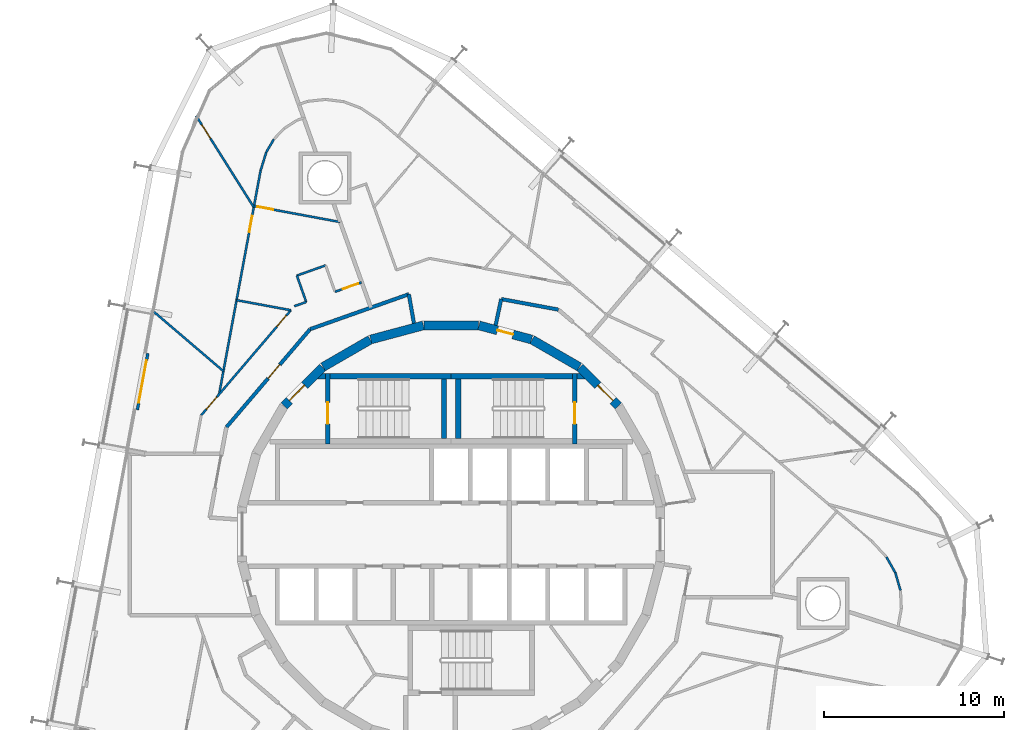
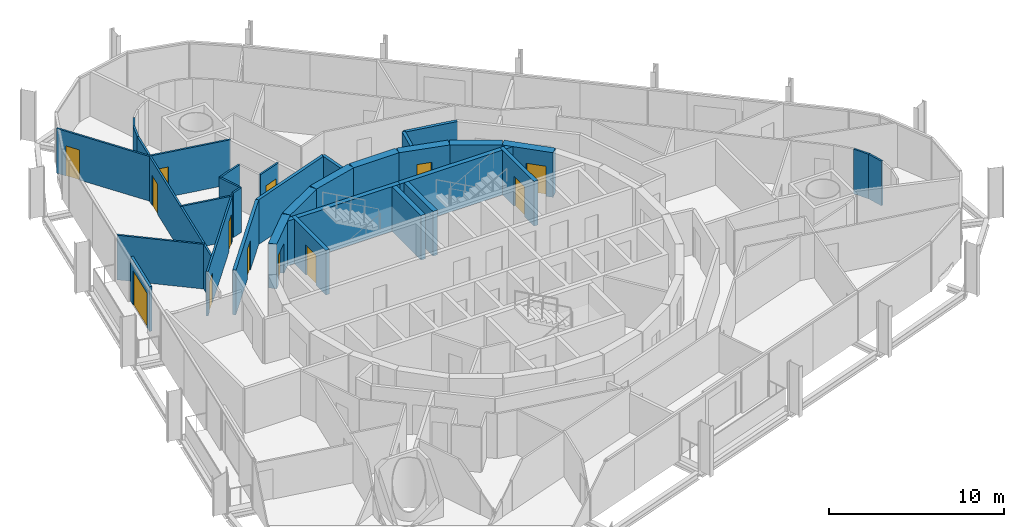
# One storey, part 14 of 17: 35 walls, 13 doors, 13 openings.
"""IFC4 building model written with IfcOpenShell, lengths in metres."""

from ifc_helpers import new_model, si_unit, direction, frame, frame_2d, origin, place, context, subcontext, project, spatial, polyline, rectangle, outline, extrude, material, layer, layer_set, type_object, element, fill, save


model = new_model("IFC4")

# Units and contexts
model_context = context("Model", 3, precision=1e-05, world=origin(), true_north=direction((0.0, 1.0)))
body_context = subcontext(model_context, "Body", "Model", "MODEL_VIEW")
ifc_project = project(units=[si_unit("LENGTHUNIT", "METRE"), si_unit("AREAUNIT", "SQUARE_METRE"), si_unit("VOLUMEUNIT", "CUBIC_METRE"), si_unit("PLANEANGLEUNIT", "RADIAN"), si_unit("MASSUNIT", "GRAM", prefix="KILO")], contexts=[model_context])

# Site, building, storey
site_placement = place(None, origin())
site = spatial("IfcSite", under=ifc_project, at=site_placement, CompositionType="ELEMENT")
building_placement = place(site_placement, origin())
building = spatial("IfcBuilding", under=site, at=building_placement, Name="Spindle Arch Residences", CompositionType="ELEMENT")
storey_placement = place(building_placement, frame((0.0, 0.0, 155.199951171875)))
storey = spatial("IfcBuildingStorey", under=building, at=storey_placement, Name="L38", CompositionType="ELEMENT", Elevation=155.199951171875)

# Wall, opening, door
ifc_material_1 = material(Name="Concrete C50/60", Category="concrete")
ifc_layer_1 = layer(ifc_material_1, 0.5)
ifc_layer_set_1 = layer_set([ifc_layer_1], Name="Core outline wall 500")
wall_type_1 = type_object("IfcWallType", Name="Core outline wall 500", PredefinedType="SHEAR", material=ifc_layer_set_1)
wall_1_placement = place(storey_placement, frame((9.30810546875, 7.163818359375, 0.0), z_axis=(0.0, 0.0, 1.0), x_axis=(-0.707106781187, 0.707106781187, 0.0)))
wall_1 = element("IfcWall", 1, at=wall_1_placement, inside=storey, type_object=wall_type_1, Name="Core outline wall 9", PredefinedType="SHEAR", context=body_context, shape_type="SweptSolid", body=[
    extrude(rectangle(XDim=3.032470703125, YDim=0.5, at=frame_2d((1.51611328125, 0.0))), origin(), (0.0, 0.0, 1.0), 3.1201171875),
])
opening_1_placement = place(wall_1_placement, frame((0.416259765625, 0.0, 0.0)))
opening_1 = element("IfcOpeningElement", 2, at=opening_1_placement, cuts=wall_1, Name="Opening R4A1-AD01", PredefinedType="OPENING", context=body_context, shape_type="SweptSolid", body=[
    extrude(rectangle(XDim=1.199951171875, YDim=2.10009765625, at=frame_2d((0.60009765625, 1.050048828125))), frame((0.0, 0.260009765625, 0.0), z_axis=(0.0, -1.0, 0.0), x_axis=(1.0, 0.0, 0.0)), (0.0, 0.0, 1.0), 0.52001953125),
])
ifc_material_2 = material(Name="Steel, fire-resisting door", Category="steel")
door_type_1 = type_object("IfcDoorType", Name="Stair airlock door 1200x2100", OperationType="SINGLE_SWING_LEFT", PredefinedType="DOOR", material=ifc_material_2)
door_1_placement = place(opening_1_placement, origin())
door_1 = element("IfcDoor", 3, at=door_1_placement, inside=storey, type_object=door_type_1, Name="Stair airlock door R4A1-AD01", OperationType="SINGLE_SWING_RIGHT", OverallHeight=2.10009765625, OverallWidth=1.199951171875, PredefinedType="DOOR", context=body_context, shape_type="SweptSolid", body=[
    extrude(rectangle(XDim=1.199951171875, YDim=2.10009765625, at=frame_2d((0.60009765625, 1.050048828125))), frame((0.0, 0.02490234375, 0.0), z_axis=(0.0, -1.0, 0.0), x_axis=(1.0, 0.0, 0.0)), (0.0, 0.0, 1.0), 0.050048828125),
])
fill(opening_1, door_1)

# Wall
wall_2_placement = place(storey_placement, frame((7.13671875, 9.32861328125, 0.0), z_axis=(0.0, 0.0, 1.0), x_axis=(-0.865975092491, 0.500087131594, 0.0)))
element("IfcWall", 4, at=wall_2_placement, inside=storey, type_object=wall_type_1, Name="Core outline wall 10", PredefinedType="SHEAR", context=body_context, shape_type="SweptSolid", body=[
    extrude(rectangle(XDim=3.03271484375, YDim=0.5, at=frame_2d((1.516357421875, 0.0))), origin(), (0.0, 0.0, 1.0), 3.1201171875),
])

# Wall, opening, door
wall_3_placement = place(storey_placement, frame((4.479248046875, 10.858154296875, 0.0), z_axis=(0.0, 0.0, 1.0), x_axis=(-0.965948410781, 0.258734743916, 0.0)))
wall_3 = element("IfcWall", 5, at=wall_3_placement, inside=storey, type_object=wall_type_1, Name="Core outline wall 11", PredefinedType="SHEAR", context=body_context, shape_type="SweptSolid", body=[
    extrude(rectangle(XDim=3.03271484375, YDim=0.5, at=frame_2d((1.516357421875, 0.0))), origin(), (0.0, 0.0, 1.0), 3.1201171875),
])
opening_2_placement = place(wall_3_placement, frame((1.066162109375, 0.0, 0.0)))
opening_2 = element("IfcOpeningElement", 6, at=opening_2_placement, cuts=wall_3, Name="Opening R4A1-WD11", PredefinedType="OPENING", context=body_context, shape_type="SweptSolid", body=[
    extrude(rectangle(XDim=0.89990234375, YDim=2.10009765625, at=frame_2d((0.449951171875, 1.050048828125))), frame((0.0, 0.260009765625, 0.0), z_axis=(0.0, -1.0, 0.0), x_axis=(1.0, 0.0, 0.0)), (0.0, 0.0, 1.0), 0.52001953125),
])
ifc_material_3 = material(Name="Steel, fire-resisting door", Category="steel")
door_type_2 = type_object("IfcDoorType", Name="Service room door 900x2100", OperationType="SINGLE_SWING_LEFT", PredefinedType="DOOR", material=ifc_material_3)
door_2_placement = place(opening_2_placement, origin())
door_2 = element("IfcDoor", 7, at=door_2_placement, inside=storey, type_object=door_type_2, Name="Service room door R4A1-WD11", OperationType="SINGLE_SWING_LEFT", OverallHeight=2.10009765625, OverallWidth=0.89990234375, PredefinedType="DOOR", context=body_context, shape_type="SweptSolid", body=[
    extrude(rectangle(XDim=0.89990234375, YDim=2.10009765625, at=frame_2d((0.449951171875, 1.050048828125))), frame((0.0, 0.02490234375, 0.0), z_axis=(0.0, -1.0, 0.0), x_axis=(1.0, 0.0, 0.0)), (0.0, 0.0, 1.0), 0.050048828125),
])
fill(opening_2, door_2)

# Walls
for number, where, z_axis, x_axis, name in (
    (8, (1.516357421875, 11.647216796875, 0.0), (0.0, 0.0, 1.0), (-1.0, 0.0, 0.0), "Core outline wall 12"),
    (9, (-1.5498046875, 11.642822265625, 0.0), (0.0, 0.0, 1.0), (-0.965948410781, -0.258734743916, 0.0), "Core outline wall 13"),
    (10, (-4.510498046875, 10.84521484375, 0.0), (0.0, 0.0, 1.0), (-0.865975092491, -0.500087131594, 0.0), "Core outline wall 14"),
):
    element("IfcWall", number, at=place(storey_placement, frame(where, z_axis=z_axis, x_axis=x_axis)), inside=storey, type_object=wall_type_1, Name=name, PredefinedType="SHEAR", context=body_context, shape_type="SweptSolid", body=[
        extrude(rectangle(XDim=3.03271484375, YDim=0.5, at=frame_2d((1.516357421875, 0.0))), origin(), (0.0, 0.0, 1.0), 3.1201171875),
    ])

# Wall, opening, door
wall_4_placement = place(storey_placement, frame((-7.163818359375, 9.30810546875, 0.0), z_axis=(0.0, 0.0, 1.0), x_axis=(-0.707106781187, -0.707106781187, 0.0)))
wall_4 = element("IfcWall", 11, at=wall_4_placement, inside=storey, type_object=wall_type_1, Name="Core outline wall 15", PredefinedType="SHEAR", context=body_context, shape_type="SweptSolid", body=[
    extrude(rectangle(XDim=3.032470703125, YDim=0.5, at=frame_2d((1.51611328125, 0.0))), origin(), (0.0, 0.0, 1.0), 3.1201171875),
])
opening_3_placement = place(wall_4_placement, frame((1.416259765625, 0.0, 0.0)))
opening_3 = element("IfcOpeningElement", 12, at=opening_3_placement, cuts=wall_4, Name="Opening R4A1-AD02", PredefinedType="OPENING", context=body_context, shape_type="SweptSolid", body=[
    extrude(rectangle(XDim=1.199951171875, YDim=2.10009765625, at=frame_2d((0.60009765625, 1.050048828125))), frame((0.0, 0.260009765625, 0.0), z_axis=(0.0, -1.0, 0.0), x_axis=(1.0, 0.0, 0.0)), (0.0, 0.0, 1.0), 0.52001953125),
])
door_3_placement = place(opening_3_placement, origin())
door_3 = element("IfcDoor", 13, at=door_3_placement, inside=storey, type_object=door_type_1, Name="Stair airlock door R4A1-AD02", OperationType="SINGLE_SWING_RIGHT", OverallHeight=2.10009765625, OverallWidth=1.199951171875, PredefinedType="DOOR", context=body_context, shape_type="SweptSolid", body=[
    extrude(rectangle(XDim=1.199951171875, YDim=2.10009765625, at=frame_2d((0.60009765625, 1.050048828125))), frame((0.0, 0.02490234375, 0.0), z_axis=(0.0, -1.0, 0.0), x_axis=(1.0, 0.0, 0.0)), (0.0, 0.0, 1.0), 0.050048828125),
])
fill(opening_3, door_3)

# Walls
ifc_material_4 = material(Name="Calcium silicate block, plastered")
ifc_layer_2 = layer(ifc_material_4, 0.199951171875)
ifc_layer_set_2 = layer_set([ifc_layer_2], Name="Corridor wall 200")
wall_type_2 = type_object("IfcWallType", Name="Corridor wall 200", PredefinedType="STANDARD", material=ifc_layer_set_2)
wall_5_placement = place(storey_placement, frame((5.972412109375, 12.521240234375, 0.0), z_axis=(0.0, 0.0, 1.0), x_axis=(-0.983243002308, 0.182299748799, 0.0)))
element("IfcWall", 14, at=wall_5_placement, inside=storey, type_object=wall_type_2, Name="Corridor wall R4A1-W005", PredefinedType="STANDARD", context=body_context, shape_type="SweptSolid", body=[
    extrude(rectangle(XDim=3.239501953125, YDim=0.199951171875, at=frame_2d((1.61962890625, 0.0))), origin(), (0.0, 0.0, 1.0), 3.1201171875),
])
wall_6_placement = place(storey_placement, frame((2.787109375, 13.11181640625, 0.0), z_axis=(0.0, 0.0, 1.0), x_axis=(-0.207941001029, -0.978141370197, 0.0)))
element("IfcWall", 15, at=wall_6_placement, inside=storey, type_object=wall_type_2, Name="Corridor wall R4A1-W006", PredefinedType="STANDARD", context=body_context, shape_type="SweptSolid", body=[
    extrude(rectangle(XDim=1.4912109375, YDim=0.199951171875, at=frame_2d((0.74560546875, 0.0))), origin(), (0.0, 0.0, 1.0), 3.1201171875),
])
wall_7_placement = place(storey_placement, frame((-2.07373046875, 11.76123046875, 0.0), z_axis=(0.0, 0.0, 1.0), x_axis=(-0.1736412798, 0.984808969267, 0.0)))
element("IfcWall", 16, at=wall_7_placement, inside=storey, type_object=wall_type_2, Name="Corridor wall R4A1-W009", PredefinedType="STANDARD", context=body_context, shape_type="SweptSolid", body=[
    extrude(rectangle(XDim=1.6435546875, YDim=0.199951171875, at=frame_2d((0.82177734375, 0.0))), origin(), (0.0, 0.0, 1.0), 3.1201171875),
])
wall_8_placement = place(storey_placement, frame((-2.359130859375, 13.3798828125, 0.0), z_axis=(0.0, 0.0, 1.0), x_axis=(-0.942647529236, -0.333789807551, 0.0)))
element("IfcWall", 17, at=wall_8_placement, inside=storey, type_object=wall_type_2, Name="Corridor wall R4A1-W010", PredefinedType="STANDARD", context=body_context, shape_type="SweptSolid", body=[
    extrude(rectangle(XDim=5.8330078125, YDim=0.199951171875, at=frame_2d((2.91650390625, 0.0))), origin(), (0.0, 0.0, 1.0), 3.1201171875),
])

# Wall, opening, door
wall_9_placement = place(storey_placement, frame((-7.857666015625, 11.432861328125, 0.0), z_axis=(0.0, 0.0, 1.0), x_axis=(-0.649440801937, -0.760412154545, 0.0)))
wall_9 = element("IfcWall", 18, at=wall_9_placement, inside=storey, type_object=wall_type_2, Name="Corridor wall R4A1-W011", PredefinedType="STANDARD", context=body_context, shape_type="SweptSolid", body=[
    extrude(rectangle(XDim=7.180908203125, YDim=0.199951171875, at=frame_2d((3.59033203125, 0.0))), origin(), (0.0, 0.0, 1.0), 3.1201171875),
])
opening_4_placement = place(wall_9_placement, frame((2.60009765625, 0.0, 0.0)))
opening_4 = element("IfcOpeningElement", 19, at=opening_4_placement, cuts=wall_9, Name="Opening R4A1-FD03", PredefinedType="OPENING", context=body_context, shape_type="SweptSolid", body=[
    extrude(rectangle(XDim=1.0, YDim=2.10009765625, at=frame_2d((0.5, 1.050048828125))), frame((0.0, 0.10986328125, 0.0), z_axis=(0.0, -1.0, 0.0), x_axis=(1.0, 0.0, 0.0)), (0.0, 0.0, 1.0), 0.219970703125),
])
ifc_material_5 = material(Name="Timber, fire-resisting door set", Category="wood")
door_type_3 = type_object("IfcDoorType", Name="Flat entrance door 1000x2100", OperationType="NOTDEFINED", PredefinedType="DOOR", material=ifc_material_5)
door_4_placement = place(opening_4_placement, origin())
door_4 = element("IfcDoor", 20, at=door_4_placement, inside=storey, type_object=door_type_3, Name="Flat entrance door R4A1-FD03", OperationType="SINGLE_SWING_LEFT", OverallHeight=2.10009765625, OverallWidth=1.0, PredefinedType="DOOR", context=body_context, shape_type="SweptSolid", body=[
    extrude(rectangle(XDim=1.0, YDim=2.10009765625, at=frame_2d((0.5, 1.050048828125))), frame((0.0, 0.02490234375, 0.0), z_axis=(0.0, -1.0, 0.0), x_axis=(1.0, 0.0, 0.0)), (0.0, 0.0, 1.0), 0.050048828125),
])
fill(opening_4, door_4)

# Walls
ifc_material_6 = material(Name="Plasterboard on steel studs", Category="steel")
ifc_layer_3 = layer(ifc_material_6, 0.1201171875)
ifc_layer_set_3 = layer_set([ifc_layer_3], Name="Flat partition 120")
wall_type_3 = type_object("IfcWallType", Name="Flat partition 120", PredefinedType="PARTITIONING", material=ifc_layer_set_3)
for number, where, z_axis, x_axis, name in (
    (21, (25.028564453125, -3.11669921875, 0.0), (0.0, 0.0, 1.0), (-0.278559922069, 0.96041885124, 0.0), "Flat partition R4A1-W051"),
    (22, (24.74560546875, -2.14111328125, 0.0), (0.0, 0.0, 1.0), (-0.492199796518, 0.870482257319, 0.0), "Flat partition R4A1-W052"),
):
    element("IfcWall", number, at=place(storey_placement, frame(where, z_axis=z_axis, x_axis=x_axis)), inside=storey, type_object=wall_type_3, Name=name, PredefinedType="PARTITIONING", context=body_context, shape_type="SweptSolid", body=[
        extrude(rectangle(XDim=1.015869140625, YDim=0.1201171875, at=frame_2d((0.5078125, 0.0))), origin(), (0.0, 0.0, 1.0), 3.1201171875),
    ])

# Wall, opening, door
wall_10_placement = place(storey_placement, frame((-4.993408203125, 14.038330078125, 0.0), z_axis=(0.0, 0.0, 1.0), x_axis=(-0.942685371668, -0.333682918418, 0.0)))
wall_10 = element("IfcWall", 23, at=wall_10_placement, inside=storey, type_object=wall_type_3, Name="Flat partition R4A1-W068", PredefinedType="PARTITIONING", context=body_context, shape_type="SweptSolid", body=[
    extrude(rectangle(XDim=1.568603515625, YDim=0.1201171875, at=frame_2d((0.7841796875, 0.0))), origin(), (0.0, 0.0, 1.0), 3.1201171875),
])
opening_5_placement = place(wall_10_placement, frame((0.199951171875, 0.0, 0.0)))
opening_5 = element("IfcOpeningElement", 24, at=opening_5_placement, cuts=wall_10, Name="Opening R4A1-ID11", PredefinedType="OPENING", context=body_context, shape_type="SweptSolid", body=[
    extrude(rectangle(XDim=0.89990234375, YDim=2.10009765625, at=frame_2d((0.449951171875, 1.050048828125))), frame((0.0, 0.070068359375, 0.0), z_axis=(0.0, -1.0, 0.0), x_axis=(1.0, 0.0, 0.0)), (0.0, 0.0, 1.0), 0.14013671875),
])
ifc_material_7 = material(Name="Timber door set", Category="wood")
door_type_4 = type_object("IfcDoorType", Name="Room door 900x2100", OperationType="NOTDEFINED", PredefinedType="DOOR", material=ifc_material_7)
door_5_placement = place(opening_5_placement, origin())
door_5 = element("IfcDoor", 25, at=door_5_placement, inside=storey, type_object=door_type_4, Name="Room door R4A1-ID11", OperationType="SINGLE_SWING_LEFT", OverallHeight=2.10009765625, OverallWidth=0.89990234375, PredefinedType="DOOR", context=body_context, shape_type="SweptSolid", body=[
    extrude(rectangle(XDim=0.89990234375, YDim=2.10009765625, at=frame_2d((0.449951171875, 1.050048828125))), frame((0.0, 0.02490234375, 0.0), z_axis=(0.0, -1.0, 0.0), x_axis=(1.0, 0.0, 0.0)), (0.0, 0.0, 1.0), 0.050048828125),
])
fill(opening_5, door_5)

# Walls
wall_11_placement = place(storey_placement, frame((-6.993408203125, 14.98681640625, 0.0), z_axis=(0.0, 0.0, 1.0), x_axis=(-0.942599915297, -0.33392424243, 0.0)))
element("IfcWall", 26, at=wall_11_placement, inside=storey, type_object=wall_type_3, Name="Flat partition R4A1-W070", PredefinedType="PARTITIONING", context=body_context, shape_type="SweptSolid", body=[
    extrude(rectangle(XDim=1.699951171875, YDim=0.1201171875, at=frame_2d((0.85009765625, 0.0))), origin(), (0.0, 0.0, 1.0), 3.1201171875),
])
wall_12_placement = place(storey_placement, frame((-8.595703125, 14.419189453125, 0.0), z_axis=(0.0, 0.0, 1.0), x_axis=(0.333670576497, -0.942689740254, 0.0)))
element("IfcWall", 27, at=wall_12_placement, inside=storey, type_object=wall_type_3, Name="Flat partition R4A1-W071", PredefinedType="PARTITIONING", context=body_context, shape_type="SweptSolid", body=[
    extrude(rectangle(XDim=1.5615234375, YDim=0.1201171875, at=frame_2d((0.78076171875, 0.0))), origin(), (0.0, 0.0, 1.0), 3.1201171875),
])
wall_13_placement = place(storey_placement, frame((-8.07470703125, 12.947265625, 0.0), z_axis=(0.0, 0.0, 1.0), x_axis=(-0.942649994227, -0.33378284615, 0.0)))
element("IfcWall", 28, at=wall_13_placement, inside=storey, type_object=wall_type_3, Name="Flat partition R4A1-W072", PredefinedType="PARTITIONING", context=body_context, shape_type="SweptSolid", body=[
    extrude(rectangle(XDim=0.702880859375, YDim=0.1201171875, at=frame_2d((0.3515625, 0.0))), origin(), (0.0, 0.0, 1.0), 3.1201171875),
])

# Wall, openings, doors
wall_14_placement = place(storey_placement, frame((-8.9287109375, 12.48828125, 0.0), z_axis=(0.0, 0.0, 1.0), x_axis=(-0.64944646045, -0.760407321775, 0.0)))
wall_14 = element("IfcWall", 29, at=wall_14_placement, inside=storey, type_object=wall_type_3, Name="Flat partition R4A1-W073", PredefinedType="PARTITIONING", context=body_context, shape_type="SweptSolid", body=[
    extrude(rectangle(XDim=7.68994140625, YDim=0.1201171875, at=frame_2d((3.844970703125, 0.0))), origin(), (0.0, 0.0, 1.0), 3.1201171875),
])
opening_6_placement = place(wall_14_placement, frame((0.39990234375, 0.0, 0.0)))
opening_6 = element("IfcOpeningElement", 30, at=opening_6_placement, cuts=wall_14, Name="Opening R4A1-BD03", PredefinedType="OPENING", context=body_context, shape_type="SweptSolid", body=[
    extrude(rectangle(XDim=0.800048828125, YDim=2.10009765625, at=frame_2d((0.39990234375, 1.050048828125))), frame((0.0, 0.070068359375, 0.0), z_axis=(0.0, -1.0, 0.0), x_axis=(1.0, 0.0, 0.0)), (0.0, 0.0, 1.0), 0.14013671875),
])
opening_7_placement = place(wall_14_placement, frame((6.35595703125, 0.0, 0.0)))
opening_7 = element("IfcOpeningElement", 31, at=opening_7_placement, cuts=wall_14, Name="Opening R4A1-ID12", PredefinedType="OPENING", context=body_context, shape_type="SweptSolid", body=[
    extrude(rectangle(XDim=0.89990234375, YDim=2.10009765625, at=frame_2d((0.449951171875, 1.050048828125))), frame((0.0, 0.070068359375, 0.0), z_axis=(0.0, -1.0, 0.0), x_axis=(1.0, 0.0, 0.0)), (0.0, 0.0, 1.0), 0.14013671875),
])
ifc_material_8 = material(Name="Timber door set", Category="wood")
door_type_5 = type_object("IfcDoorType", Name="Bathroom door 800x2100", OperationType="NOTDEFINED", PredefinedType="DOOR", material=ifc_material_8)
door_6_placement = place(opening_6_placement, origin())
door_6 = element("IfcDoor", 32, at=door_6_placement, inside=storey, type_object=door_type_5, Name="Bathroom door R4A1-BD03", OperationType="SINGLE_SWING_LEFT", OverallHeight=2.10009765625, OverallWidth=0.800048828125, PredefinedType="DOOR", context=body_context, shape_type="SweptSolid", body=[
    extrude(rectangle(XDim=0.800048828125, YDim=2.10009765625, at=frame_2d((0.39990234375, 1.050048828125))), frame((0.0, 0.02490234375, 0.0), z_axis=(0.0, -1.0, 0.0), x_axis=(1.0, 0.0, 0.0)), (0.0, 0.0, 1.0), 0.050048828125),
])
fill(opening_6, door_6)
door_7_placement = place(opening_7_placement, origin())
door_7 = element("IfcDoor", 33, at=door_7_placement, inside=storey, type_object=door_type_4, Name="Room door R4A1-ID12", OperationType="SINGLE_SWING_LEFT", OverallHeight=2.10009765625, OverallWidth=0.89990234375, PredefinedType="DOOR", context=body_context, shape_type="SweptSolid", body=[
    extrude(rectangle(XDim=0.89990234375, YDim=2.10009765625, at=frame_2d((0.449951171875, 1.050048828125))), frame((0.0, 0.02490234375, 0.0), z_axis=(0.0, -1.0, 0.0), x_axis=(1.0, 0.0, 0.0)), (0.0, 0.0, 1.0), 0.050048828125),
])
fill(opening_7, door_7)

# Walls
wall_15_placement = place(storey_placement, frame((-9.876708984375, 22.014404296875, 0.0), z_axis=(0.0, 0.0, 1.0), x_axis=(-0.507766478099, -0.861494749676, 0.0)))
element("IfcWall", 34, at=wall_15_placement, inside=storey, type_object=wall_type_3, Name="Flat partition R4A1-W078", PredefinedType="PARTITIONING", context=body_context, shape_type="SweptSolid", body=[
    extrude(rectangle(XDim=0.828857421875, YDim=0.1201171875, at=frame_2d((0.41455078125, 0.0))), origin(), (0.0, 0.0, 1.0), 3.1201171875),
])
wall_16_placement = place(storey_placement, frame((-10.297607421875, 21.30029296875, 0.0), z_axis=(0.0, 0.0, 1.0), x_axis=(-0.295127342945, -0.955457927617, 0.0)))
element("IfcWall", 35, at=wall_16_placement, inside=storey, type_object=wall_type_3, Name="Flat partition R4A1-W079", PredefinedType="PARTITIONING", context=body_context, shape_type="SweptSolid", body=[
    extrude(rectangle(XDim=1.0869140625, YDim=0.1201171875, at=frame_2d((0.54345703125, 0.0))), origin(), (0.0, 0.0, 1.0), 3.1201171875),
])

# Wall, opening, door
wall_17_placement = place(storey_placement, frame((-10.618408203125, 20.26171875, 0.0), z_axis=(0.0, 0.0, 1.0), x_axis=(-0.182222468274, -0.983257327487, 0.0)))
wall_17 = element("IfcWall", 36, at=wall_17_placement, inside=storey, type_object=wall_type_3, Name="Flat partition R4A1-W080", PredefinedType="PARTITIONING", context=body_context, shape_type="SweptSolid", body=[
    extrude(rectangle(XDim=12.66650390625, YDim=0.1201171875, at=frame_2d((6.333251953125, 0.0))), origin(), (0.0, 0.0, 1.0), 3.1201171875),
])
opening_8_placement = place(wall_17_placement, frame((2.570068359375, 0.0, 0.0)))
opening_8 = element("IfcOpeningElement", 37, at=opening_8_placement, cuts=wall_17, Name="Opening R4A1-ID14", PredefinedType="OPENING", context=body_context, shape_type="SweptSolid", body=[
    extrude(rectangle(XDim=0.89990234375, YDim=2.10009765625, at=frame_2d((0.449951171875, 1.050048828125))), frame((0.0, 0.070068359375, 0.0), z_axis=(0.0, -1.0, 0.0), x_axis=(1.0, 0.0, 0.0)), (0.0, 0.0, 1.0), 0.14013671875),
])
door_8_placement = place(opening_8_placement, origin())
door_8 = element("IfcDoor", 38, at=door_8_placement, inside=storey, type_object=door_type_4, Name="Room door R4A1-ID14", OperationType="SINGLE_SWING_LEFT", OverallHeight=2.10009765625, OverallWidth=0.89990234375, PredefinedType="DOOR", context=body_context, shape_type="SweptSolid", body=[
    extrude(rectangle(XDim=0.89990234375, YDim=2.10009765625, at=frame_2d((0.449951171875, 1.050048828125))), frame((0.0, 0.02490234375, 0.0), z_axis=(0.0, -1.0, 0.0), x_axis=(1.0, 0.0, 0.0)), (0.0, 0.0, 1.0), 0.050048828125),
])
fill(opening_8, door_8)

wall_18_placement = place(storey_placement, frame((-10.983642578125, 18.291259765625, 0.0), z_axis=(0.0, 0.0, 1.0), x_axis=(0.98324782266, -0.182273748068, 0.0)))
wall_18 = element("IfcWall", 39, at=wall_18_placement, inside=storey, type_object=wall_type_3, Name="Flat partition R4A1-W081", PredefinedType="PARTITIONING", context=body_context, shape_type="SweptSolid", body=[
    extrude(rectangle(XDim=4.880859375, YDim=0.1201171875, at=frame_2d((2.4404296875, 0.0))), origin(), (0.0, 0.0, 1.0), 3.1201171875),
])
opening_9_placement = place(wall_18_placement, frame((0.199951171875, 0.0, 0.0)))
opening_9 = element("IfcOpeningElement", 40, at=opening_9_placement, cuts=wall_18, Name="Opening R4A1-ID13", PredefinedType="OPENING", context=body_context, shape_type="SweptSolid", body=[
    extrude(rectangle(XDim=0.89990234375, YDim=2.10009765625, at=frame_2d((0.449951171875, 1.050048828125))), frame((0.0, 0.070068359375, 0.0), z_axis=(0.0, -1.0, 0.0), x_axis=(1.0, 0.0, 0.0)), (0.0, 0.0, 1.0), 0.14013671875),
])
door_9_placement = place(opening_9_placement, origin())
door_9 = element("IfcDoor", 41, at=door_9_placement, inside=storey, type_object=door_type_4, Name="Room door R4A1-ID13", OperationType="SINGLE_SWING_LEFT", OverallHeight=2.10009765625, OverallWidth=0.89990234375, PredefinedType="DOOR", context=body_context, shape_type="SweptSolid", body=[
    extrude(rectangle(XDim=0.89990234375, YDim=2.10009765625, at=frame_2d((0.449951171875, 1.050048828125))), frame((0.0, 0.02490234375, 0.0), z_axis=(0.0, -1.0, 0.0), x_axis=(1.0, 0.0, 0.0)), (0.0, 0.0, 1.0), 0.050048828125),
])
fill(opening_9, door_9)

wall_19_placement = place(storey_placement, frame((-14.210693359375, 23.326416015625, 0.0), z_axis=(0.0, 0.0, 1.0), x_axis=(0.533278244906, -0.845939899467, 0.0)))
wall_19 = element("IfcWall", 42, at=wall_19_placement, inside=storey, type_object=wall_type_3, Name="Flat partition R4A1-W082", PredefinedType="PARTITIONING", context=body_context, shape_type="SweptSolid", body=[
    extrude(rectangle(XDim=6.02880859375, YDim=0.1201171875, at=frame_2d((3.014404296875, 0.0))), origin(), (0.0, 0.0, 1.0), 3.1201171875),
])
opening_10_placement = place(wall_19_placement, frame((0.60009765625, 0.0, 0.0)))
opening_10 = element("IfcOpeningElement", 43, at=opening_10_placement, cuts=wall_19, Name="Opening R4A1-ID15", PredefinedType="OPENING", context=body_context, shape_type="SweptSolid", body=[
    extrude(rectangle(XDim=0.89990234375, YDim=2.10009765625, at=frame_2d((0.449951171875, 1.050048828125))), frame((0.0, 0.070068359375, 0.0), z_axis=(0.0, -1.0, 0.0), x_axis=(1.0, 0.0, 0.0)), (0.0, 0.0, 1.0), 0.14013671875),
])
door_10_placement = place(opening_10_placement, origin())
door_10 = element("IfcDoor", 44, at=door_10_placement, inside=storey, type_object=door_type_4, Name="Room door R4A1-ID15", OperationType="SINGLE_SWING_LEFT", OverallHeight=2.10009765625, OverallWidth=0.89990234375, PredefinedType="DOOR", context=body_context, shape_type="SweptSolid", body=[
    extrude(rectangle(XDim=0.89990234375, YDim=2.10009765625, at=frame_2d((0.449951171875, 1.050048828125))), frame((0.0, 0.02490234375, 0.0), z_axis=(0.0, -1.0, 0.0), x_axis=(1.0, 0.0, 0.0)), (0.0, 0.0, 1.0), 0.050048828125),
])
fill(opening_10, door_10)

# Walls
wall_20_placement = place(storey_placement, frame((-11.955078125, 13.04931640625, 0.0), z_axis=(0.0, 0.0, 1.0), x_axis=(0.983247271586, -0.182276720725, 0.0)))
element("IfcWall", 45, at=wall_20_placement, inside=storey, type_object=wall_type_3, Name="Flat partition R4A1-W083", PredefinedType="PARTITIONING", context=body_context, shape_type="SweptSolid", body=[
    extrude(rectangle(XDim=3.077880859375, YDim=0.1201171875, at=frame_2d((1.5390625, 0.0))), origin(), (0.0, 0.0, 1.0), 3.1201171875),
])
wall_21_placement = place(storey_placement, frame((-16.551513671875, 12.393798828125, 0.0), z_axis=(0.0, 0.0, 1.0), x_axis=(0.760425586578, -0.649425074414, 0.0)))
element("IfcWall", 46, at=wall_21_placement, inside=storey, type_object=wall_type_3, Name="Flat partition R4A1-W084", PredefinedType="PARTITIONING", context=body_context, shape_type="SweptSolid", body=[
    extrude(rectangle(XDim=5.080810546875, YDim=0.1201171875, at=frame_2d((2.54052734375, 0.0))), origin(), (0.0, 0.0, 1.0), 3.1201171875),
])

# Wall, opening, door
ifc_material_9 = material(Name="Non-combustible mineral wool insulated aluminium faced external wall (K0)", Category="aluminium")
ifc_layer_4 = layer(ifc_material_9, 0.159912109375)
ifc_layer_set_4 = layer_set([ifc_layer_4], Name="Insulated external wall panel 160")
wall_type_4 = type_object("IfcWallType", Name="Insulated external wall panel 160", PredefinedType="STANDARD", material=ifc_layer_set_4)
wall_22_placement = place(storey_placement, frame((-16.8974609375, 10.08837890625, 0.0), z_axis=(0.0, 0.0, 1.0), x_axis=(-0.18226136951, -0.983250117307, 0.0)))
wall_22 = element("IfcWall", 47, at=wall_22_placement, inside=storey, type_object=wall_type_4, Name="External wall L38 bay 14", PredefinedType="STANDARD", context=body_context, shape_type="SweptSolid", body=[
    extrude(rectangle(XDim=3.2001953125, YDim=0.159912109375, at=frame_2d((1.60009765625, 0.0))), origin(), (0.0, 0.0, 1.0), 3.1201171875),
])
opening_11_placement = place(wall_22_placement, frame((0.39990234375, 0.0, 0.0)))
opening_11 = element("IfcOpeningElement", 48, at=opening_11_placement, cuts=wall_22, Name="Opening BD14", PredefinedType="OPENING", context=body_context, shape_type="SweptSolid", body=[
    extrude(rectangle(XDim=2.39990234375, YDim=2.39990234375, at=frame_2d((1.199951171875, 1.199951171875))), frame((0.0, 0.08984375, 0.0), z_axis=(0.0, -1.0, 0.0), x_axis=(1.0, 0.0, 0.0)), (0.0, 0.0, 1.0), 0.179931640625),
])
ifc_material_10 = material(Name="Bronze aluminium frame, tinted double glazing", Category="aluminium")
door_type_6 = type_object("IfcDoorType", Name="Sliding glazed balcony door 2400x2400", OperationType="DOUBLE_DOOR_SLIDING", PredefinedType="DOOR", material=ifc_material_10)
door_11_placement = place(opening_11_placement, origin())
door_11 = element("IfcDoor", 49, at=door_11_placement, inside=storey, type_object=door_type_6, Name="Balcony door BD14", OperationType="DOUBLE_DOOR_SLIDING", OverallHeight=2.39990234375, OverallWidth=2.39990234375, PredefinedType="DOOR", context=body_context, shape_type="SweptSolid", body=[
    extrude(rectangle(XDim=2.39990234375, YDim=2.39990234375, at=frame_2d((1.199951171875, 1.199951171875))), frame((0.0, 0.02490234375, 0.0), z_axis=(0.0, -1.0, 0.0), x_axis=(1.0, 0.0, 0.0)), (0.0, 0.0, 1.0), 0.050048828125),
])
fill(opening_11, door_11)

# Walls
ifc_material_11 = material(Name="Concrete C40/50", Category="concrete")
wall_type_5 = type_object("IfcWallType", Name="Stair airlock wall profile", PredefinedType="SHEAR", material=ifc_material_11)
wall_23_placement = place(storey_placement, origin())
element("IfcWall", 50, at=wall_23_placement, inside=storey, type_object=wall_type_5, Name="Stair ST-1 airlock wall N", PredefinedType="SHEAR", context=body_context, shape_type="SweptSolid", body=[
    extrude(outline(polyline([(7.4482421875, 8.669921875), (7.0, 8.669921875), (7.0, 8.969970703125), (7.148193359375, 8.969970703125), (7.4482421875, 8.669921875)])), origin(), (0.0, 0.0, 1.0), 3.1201171875),
])
wall_24_placement = place(storey_placement, origin())
element("IfcWall", 51, at=wall_24_placement, inside=storey, type_object=wall_type_5, Name="Stair ST-2 airlock wall N", PredefinedType="SHEAR", context=body_context, shape_type="SweptSolid", body=[
    extrude(outline(polyline([(-7.148193359375, 8.969970703125), (-7.0, 8.969970703125), (-7.0, 8.669921875), (-7.4482421875, 8.669921875), (-7.148193359375, 8.969970703125)])), origin(), (0.0, 0.0, 1.0), 3.1201171875),
])

# Wall, opening, door
ifc_material_12 = material(Name="Concrete C50/60", Category="concrete")
ifc_layer_5 = layer(ifc_material_12, 0.25)
ifc_layer_set_5 = layer_set([ifc_layer_5], Name="Stair enclosure wall 250")
wall_type_6 = type_object("IfcWallType", Name="Stair enclosure wall 250", PredefinedType="SHEAR", material=ifc_layer_set_5)
wall_25_placement = place(storey_placement, frame((6.875, 5.050048828125, 0.0), z_axis=(0.0, 0.0, 1.0), x_axis=(0.0, 1.0, 0.0)))
wall_25 = element("IfcWall", 52, at=wall_25_placement, inside=storey, type_object=wall_type_6, Name="Stair ST-1 door wall", PredefinedType="SHEAR", context=body_context, shape_type="SweptSolid", body=[
    extrude(rectangle(XDim=3.919921875, YDim=0.25, at=frame_2d((1.9599609375, 0.0))), origin(), (0.0, 0.0, 1.0), 3.1201171875),
])
opening_12_placement = place(wall_25_placement, frame((1.110107421875, 0.0, 0.0)))
opening_12 = element("IfcOpeningElement", 53, at=opening_12_placement, cuts=wall_25, Name="Opening R4A1-SD01", PredefinedType="OPENING", context=body_context, shape_type="SweptSolid", body=[
    extrude(rectangle(XDim=1.199951171875, YDim=2.10009765625, at=frame_2d((0.60009765625, 1.050048828125))), frame((0.0, 0.135009765625, 0.0), z_axis=(0.0, -1.0, 0.0), x_axis=(1.0, 0.0, 0.0)), (0.0, 0.0, 1.0), 0.27001953125),
])
ifc_material_13 = material(Name="Steel, fire-resisting door", Category="steel")
door_type_7 = type_object("IfcDoorType", Name="Stair door 1200x2100", OperationType="SINGLE_SWING_RIGHT", PredefinedType="DOOR", material=ifc_material_13)
door_12_placement = place(opening_12_placement, origin())
door_12 = element("IfcDoor", 54, at=door_12_placement, inside=storey, type_object=door_type_7, Name="Stair door R4A1-SD01", OperationType="SINGLE_SWING_LEFT", OverallHeight=2.10009765625, OverallWidth=1.199951171875, PredefinedType="DOOR", context=body_context, shape_type="SweptSolid", body=[
    extrude(rectangle(XDim=1.199951171875, YDim=2.10009765625, at=frame_2d((0.60009765625, 1.050048828125))), frame((0.0, 0.02490234375, 0.0), z_axis=(0.0, -1.0, 0.0), x_axis=(1.0, 0.0, 0.0)), (0.0, 0.0, 1.0), 0.050048828125),
])
fill(opening_12, door_12)

wall_26_placement = place(storey_placement, frame((-6.875, 8.969970703125, 0.0), z_axis=(0.0, 0.0, 1.0), x_axis=(0.0, -1.0, 0.0)))
wall_26 = element("IfcWall", 55, at=wall_26_placement, inside=storey, type_object=wall_type_6, Name="Stair ST-2 door wall", PredefinedType="SHEAR", context=body_context, shape_type="SweptSolid", body=[
    extrude(rectangle(XDim=3.919921875, YDim=0.25, at=frame_2d((1.9599609375, 0.0))), origin(), (0.0, 0.0, 1.0), 3.1201171875),
])
opening_13_placement = place(wall_26_placement, frame((1.610107421875, 0.0, 0.0)))
opening_13 = element("IfcOpeningElement", 56, at=opening_13_placement, cuts=wall_26, Name="Opening R4A1-SD02", PredefinedType="OPENING", context=body_context, shape_type="SweptSolid", body=[
    extrude(rectangle(XDim=1.199951171875, YDim=2.10009765625, at=frame_2d((0.60009765625, 1.050048828125))), frame((0.0, 0.135009765625, 0.0), z_axis=(0.0, -1.0, 0.0), x_axis=(1.0, 0.0, 0.0)), (0.0, 0.0, 1.0), 0.27001953125),
])
door_13_placement = place(opening_13_placement, origin())
door_13 = element("IfcDoor", 57, at=door_13_placement, inside=storey, type_object=door_type_7, Name="Stair door R4A1-SD02", OperationType="SINGLE_SWING_LEFT", OverallHeight=2.10009765625, OverallWidth=1.199951171875, PredefinedType="DOOR", context=body_context, shape_type="SweptSolid", body=[
    extrude(rectangle(XDim=1.199951171875, YDim=2.10009765625, at=frame_2d((0.60009765625, 1.050048828125))), frame((0.0, 0.02490234375, 0.0), z_axis=(0.0, -1.0, 0.0), x_axis=(1.0, 0.0, 0.0)), (0.0, 0.0, 1.0), 0.050048828125),
])
fill(opening_13, door_13)

# Walls
ifc_material_14 = material(Name="Concrete C50/60", Category="concrete")
ifc_layer_6 = layer(ifc_material_14, 0.300048828125)
ifc_layer_set_6 = layer_set([ifc_layer_6], Name="Stair enclosure wall 300")
wall_type_7 = type_object("IfcWallType", Name="Stair enclosure wall 300", PredefinedType="SHEAR", material=ifc_layer_set_6)
wall_27_placement = place(storey_placement, frame((0.0, 8.820068359375, 0.0), z_axis=(0.0, 0.0, 1.0), x_axis=(1.0, 0.0, 0.0)))
element("IfcWall", 58, at=wall_27_placement, inside=storey, type_object=wall_type_7, Name="Stair ST-1 enclosure wall N", PredefinedType="SHEAR", context=body_context, shape_type="SweptSolid", body=[
    extrude(rectangle(XDim=6.75, YDim=0.300048828125, at=frame_2d((3.375, 0.0))), origin(), (0.0, 0.0, 1.0), 3.1201171875),
])
wall_28_placement = place(storey_placement, frame((0.39990234375, 5.35009765625, 0.0), z_axis=(0.0, 0.0, 1.0), x_axis=(0.0, 1.0, 0.0)))
element("IfcWall", 59, at=wall_28_placement, inside=storey, type_object=wall_type_7, Name="Stair ST-1 enclosure wall F", PredefinedType="SHEAR", context=body_context, shape_type="SweptSolid", body=[
    extrude(rectangle(XDim=3.31982421875, YDim=0.300048828125, at=frame_2d((1.659912109375, 0.0))), origin(), (0.0, 0.0, 1.0), 3.1201171875),
])
wall_29_placement = place(storey_placement, frame((-6.75, 8.820068359375, 0.0), z_axis=(0.0, 0.0, 1.0), x_axis=(1.0, 0.0, 0.0)))
element("IfcWall", 60, at=wall_29_placement, inside=storey, type_object=wall_type_7, Name="Stair ST-2 enclosure wall N", PredefinedType="SHEAR", context=body_context, shape_type="SweptSolid", body=[
    extrude(rectangle(XDim=6.75, YDim=0.300048828125, at=frame_2d((3.375, 0.0))), origin(), (0.0, 0.0, 1.0), 3.1201171875),
])
wall_30_placement = place(storey_placement, frame((-0.39990234375, 5.35009765625, 0.0), z_axis=(0.0, 0.0, 1.0), x_axis=(0.0, 1.0, 0.0)))
element("IfcWall", 61, at=wall_30_placement, inside=storey, type_object=wall_type_7, Name="Stair ST-2 enclosure wall F", PredefinedType="SHEAR", context=body_context, shape_type="SweptSolid", body=[
    extrude(rectangle(XDim=3.31982421875, YDim=0.300048828125, at=frame_2d((1.659912109375, 0.0))), origin(), (0.0, 0.0, 1.0), 3.1201171875),
])

save(model, "model.ifc")
